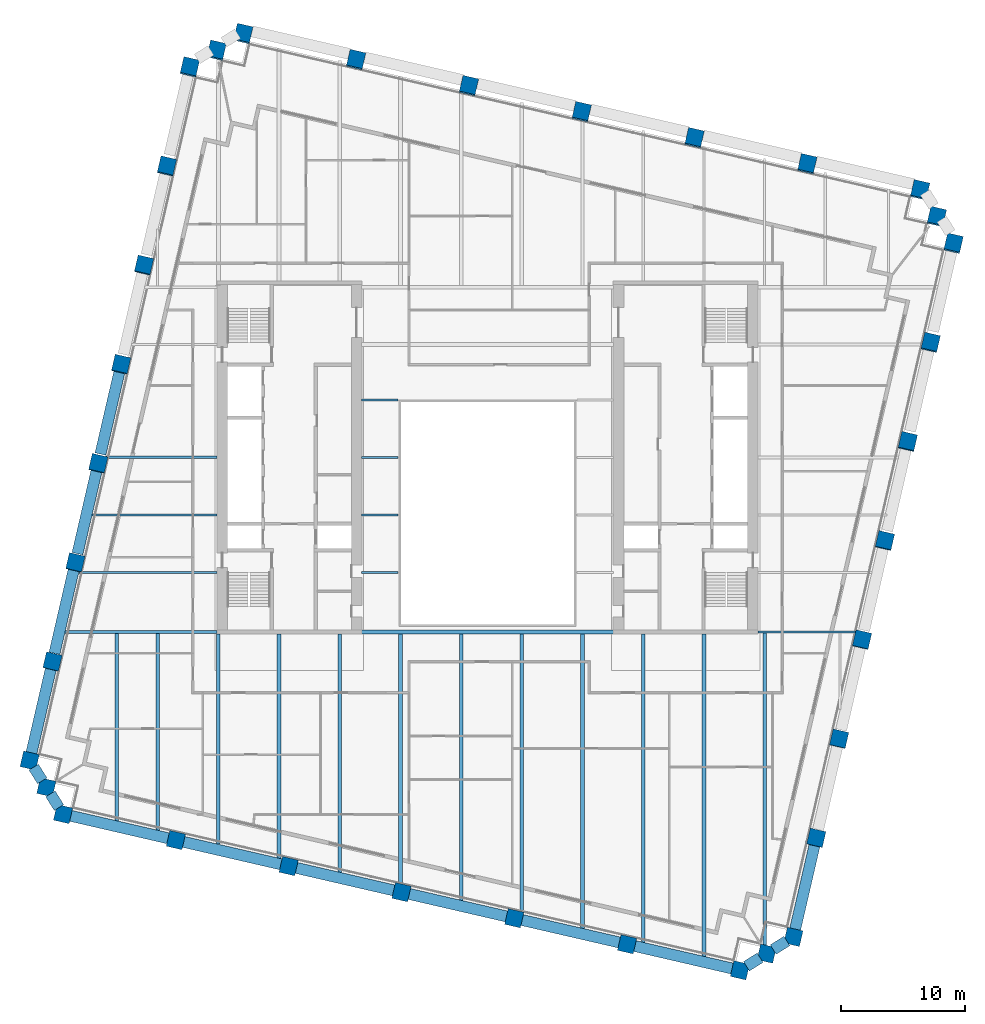
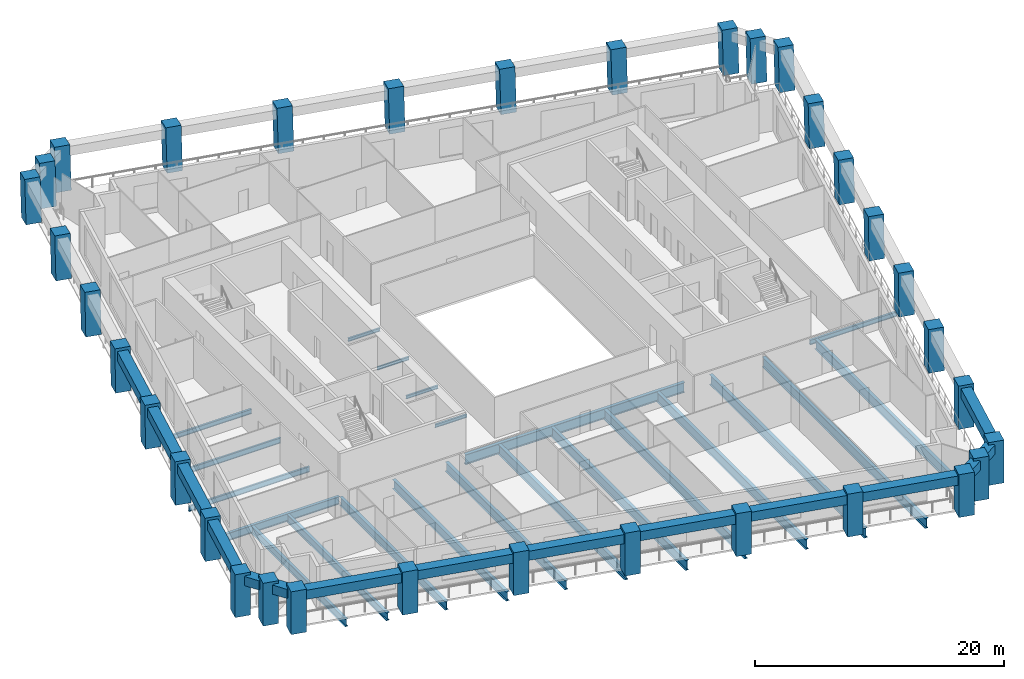
# One storey, part 1 of 12: 37 beams, 34 columns.
"""IFC4 building model written with IfcOpenShell, lengths in metres."""

from ifc_helpers import new_model, si_unit, direction, frame, origin, origin_2d, place, context, subcontext, project, spatial, rectangle, i_section, extrude, material, material_profile, profile_set, type_object, element, save


model = new_model("IFC4")

# Units and contexts
model_context = context("Model", 3, precision=1e-05, world=origin(), true_north=direction((0.0, 1.0)))
body_context = subcontext(model_context, "Body", "Model", "MODEL_VIEW")
ifc_project = project(units=[si_unit("LENGTHUNIT", "METRE"), si_unit("AREAUNIT", "SQUARE_METRE"), si_unit("VOLUMEUNIT", "CUBIC_METRE"), si_unit("PLANEANGLEUNIT", "RADIAN"), si_unit("MASSUNIT", "GRAM", prefix="KILO")], contexts=[model_context])

# Site, building, storey
site_placement = place(None, origin())
site = spatial("IfcSite", under=ifc_project, at=site_placement, CompositionType="ELEMENT")
building_placement = place(site_placement, origin())
building = spatial("IfcBuilding", under=site, at=building_placement, Name="Ogive Exchange Tower", CompositionType="ELEMENT")
storey_placement = place(building_placement, frame((0.0, 0.0, 130.800048828125)))
storey = spatial("IfcBuildingStorey", under=building, at=storey_placement, Name="L28", CompositionType="ELEMENT", Elevation=130.800048828125)

# Columns
ifc_material_1 = material(Name="Precast concrete C70/85 (limestone faced)", Category="masonry")
ifc_material_profile_1 = material_profile(ifc_material_1, rectangle(XDim=1.300048828125, YDim=1.300048828125, at=origin_2d()), Name="1300 x 1300")
ifc_profile_set_1 = profile_set([ifc_material_profile_1], Name="Precast concrete C70/85 (limestone faced)")
column_type = type_object("IfcColumnType", Name="Precast exoskeleton leg 1300 x 1300 C70/85", PredefinedType="COLUMN", material=ifc_profile_set_1)
for number, where, z_axis, x_axis, name in (
    (1, (-34.281982421875, -17.298095703125, 0.0), (0.0, 0.0, 1.0), (0.974370064785, -0.224951054344, 0.0), "Exoskeleton leg 1"),
    (2, (-25.171630859375, -19.401611328125, 0.0), (0.0, 0.0, 1.0), (0.974370064785, -0.224951054344, 0.0), "Exoskeleton leg 2"),
    (3, (-16.061279296875, -21.504638671875, 0.0), (0.0, 0.0, 1.0), (0.974370064785, -0.224951054344, 0.0), "Exoskeleton leg 3"),
    (4, (-6.950927734375, -23.60791015625, 0.0), (0.0, 0.0, 1.0), (0.974370064785, -0.224951054344, 0.0), "Exoskeleton leg 4"),
    (5, (2.159423828125, -25.711181640625, 0.0), (0.0, 0.0, 1.0), (0.974370064785, -0.224951054344, 0.0), "Exoskeleton leg 5"),
    (6, (11.269775390625, -27.814697265625, 0.0), (0.0, 0.0, 1.0), (0.974370064785, -0.224951054344, 0.0), "Exoskeleton leg 6"),
    (7, (20.380126953125, -29.91796875, 0.0), (0.0, 0.0, 1.0), (0.974370064785, -0.224951054344, 0.0), "Exoskeleton leg 7"),
    (8, (24.697509765625, -27.219970703125, 0.0), (0.0, 0.0, 1.0), (0.974370064785, -0.224951054344, 0.0), "Exoskeleton leg 8"),
):
    element("IfcColumn", number, at=place(storey_placement, frame(where, z_axis=z_axis, x_axis=x_axis)), inside=storey, type_object=column_type, Name=name, PredefinedType="COLUMN", context=body_context, shape_type="SweptSolid", body=[
        extrude(rectangle(XDim=1.300048828125, YDim=1.300048828125, at=origin_2d()), origin(), (0.0, 0.0, 1.0), 4.199951171875),
    ])
column_1_placement = place(storey_placement, frame((26.54345703125, -19.22509765625, 0.0), z_axis=(0.002906226325, 0.012613022249, 0.99991622925), x_axis=(-0.974466825284, 0.224531526563, 0.0)))
element("IfcColumn", 9, at=column_1_placement, inside=storey, type_object=column_type, Name="Exoskeleton leg 9", PredefinedType="COLUMN", context=body_context, shape_type="SweptSolid", body=[
    extrude(rectangle(XDim=1.300048828125, YDim=1.300048828125, at=origin_2d()), origin(), (0.0, 0.0, 1.0), 4.2001953125),
])
column_2_placement = place(storey_placement, frame((28.38916015625, -11.230224609375, 0.0), z_axis=(0.005869083212, 0.025335844359, 0.999661767226), x_axis=(-0.974202561131, 0.225675363932, 0.0)))
element("IfcColumn", 10, at=column_2_placement, inside=storey, type_object=column_type, Name="Exoskeleton leg 10", PredefinedType="COLUMN", context=body_context, shape_type="SweptSolid", body=[
    extrude(rectangle(XDim=1.300048828125, YDim=1.300048828125, at=origin_2d()), origin(), (0.0, 0.0, 1.0), 4.201416015625),
])
column_3_placement = place(storey_placement, frame((30.235107421875, -3.2353515625, 0.0), z_axis=(0.00871280379, 0.037929739166, 0.999242424008), x_axis=(-0.974617095667, 0.223878352757, 0.0)))
element("IfcColumn", 11, at=column_3_placement, inside=storey, type_object=column_type, Name="Exoskeleton leg 11", PredefinedType="COLUMN", context=body_context, shape_type="SweptSolid", body=[
    extrude(rectangle(XDim=1.300048828125, YDim=1.300048828125, at=origin_2d()), origin(), (0.0, 0.0, 1.0), 4.203125),
])
column_4_placement = place(storey_placement, frame((32.080810546875, 4.759521484375, 0.0), z_axis=(0.011668267153, 0.050562490995, 0.998652735462), x_axis=(-0.974391195695, 0.224859506699, 0.0)))
element("IfcColumn", 12, at=column_4_placement, inside=storey, type_object=column_type, Name="Exoskeleton leg 12", PredefinedType="COLUMN", context=body_context, shape_type="SweptSolid", body=[
    extrude(rectangle(XDim=1.300048828125, YDim=1.300048828125, at=origin_2d()), origin(), (0.0, 0.0, 1.0), 4.20556640625),
])
column_5_placement = place(storey_placement, frame((33.926513671875, 12.75439453125, 0.0), z_axis=(0.014559788571, 0.063169759976, 0.997896584813), x_axis=(-0.97445148511, 0.224598092528, 0.0)))
element("IfcColumn", 13, at=column_5_placement, inside=storey, type_object=column_type, Name="Exoskeleton leg 13", PredefinedType="COLUMN", context=body_context, shape_type="SweptSolid", body=[
    extrude(rectangle(XDim=1.300048828125, YDim=1.300048828125, at=origin_2d()), origin(), (0.0, 0.0, 1.0), 4.208740234375),
])
column_6_placement = place(storey_placement, frame((35.772216796875, 20.74951171875, 0.0), z_axis=(0.017502025619, 0.075687567741, 0.996977969259), x_axis=(-0.974290512438, 0.225295355862, 0.0)))
element("IfcColumn", 14, at=column_6_placement, inside=storey, type_object=column_type, Name="Exoskeleton leg 14", PredefinedType="COLUMN", context=body_context, shape_type="SweptSolid", body=[
    extrude(rectangle(XDim=1.300048828125, YDim=1.300048828125, at=origin_2d()), origin(), (0.0, 0.0, 1.0), 4.212646484375),
])
for number, where, z_axis, x_axis, name in (
    (15, (37.617919921875, 28.744384765625, 0.0), (0.020377597275, 0.088167842757, 0.995897175934), (-0.97431566651, 0.225186549318, 0.0), "Exoskeleton leg 15"),
    (16, (34.920166015625, 33.061767578125, 0.0), (0.020377493232, 0.0882252832, 0.995892091129), (-0.97434807649, 0.225046274885, 0.0), "Exoskeleton leg 16"),
    (17, (25.809814453125, 35.1650390625, 0.0), (0.020319626563, 0.088225387128, 0.995893264282), (-0.974488096918, 0.224439187676, 0.0), "Exoskeleton leg 17"),
    (18, (16.699462890625, 37.268310546875, 0.0), (0.020377493232, 0.0882252832, 0.995892091129), (-0.97434807649, 0.225046274885, 0.0), "Exoskeleton leg 18"),
    (19, (7.589111328125, 39.37158203125, 0.0), (0.020319626563, 0.088225387128, 0.995893264282), (-0.974488096918, 0.224439187676, 0.0), "Exoskeleton leg 19"),
    (20, (-1.521240234375, 41.47509765625, 0.0), (0.020377597275, 0.088167842757, 0.995897175934), (-0.97431566651, 0.225186549318, 0.0), "Exoskeleton leg 20"),
    (21, (-10.631591796875, 43.578369140625, 0.0), (0.020319730311, 0.088167946619, 0.995898349105), (-0.97445585692, 0.224579123952, 0.0), "Exoskeleton leg 21"),
    (22, (-19.741943359375, 45.681640625, 0.0), (0.020319626563, 0.088225387128, 0.995893264282), (-0.974488096918, 0.224439187676, 0.0), "Exoskeleton leg 22"),
    (23, (-24.0595703125, 42.983642578125, 0.0), (0.020377493232, 0.0882252832, 0.995892091129), (-0.97434807649, 0.225046274885, 0.0), "Exoskeleton leg 23"),
):
    element("IfcColumn", number, at=place(storey_placement, frame(where, z_axis=z_axis, x_axis=x_axis)), inside=storey, type_object=column_type, Name=name, PredefinedType="COLUMN", context=body_context, shape_type="SweptSolid", body=[
        extrude(rectangle(XDim=1.300048828125, YDim=1.300048828125, at=origin_2d()), origin(), (0.0, 0.0, 1.0), 4.21728515625),
    ])
column_7_placement = place(storey_placement, frame((-25.905517578125, 34.98876953125, 0.0), z_axis=(0.017502025619, 0.075687567741, 0.996977969259), x_axis=(-0.974290512438, 0.225295355862, 0.0)))
element("IfcColumn", 24, at=column_7_placement, inside=storey, type_object=column_type, Name="Exoskeleton leg 24", PredefinedType="COLUMN", context=body_context, shape_type="SweptSolid", body=[
    extrude(rectangle(XDim=1.300048828125, YDim=1.300048828125, at=origin_2d()), origin(), (0.0, 0.0, 1.0), 4.212646484375),
])
column_8_placement = place(storey_placement, frame((-27.751220703125, 26.993896484375, 0.0), z_axis=(0.014617836866, 0.063111930596, 0.997899395261), x_axis=(-0.974209784844, 0.225644178107, 0.0)))
element("IfcColumn", 25, at=column_8_placement, inside=storey, type_object=column_type, Name="Exoskeleton leg 25", PredefinedType="COLUMN", context=body_context, shape_type="SweptSolid", body=[
    extrude(rectangle(XDim=1.300048828125, YDim=1.300048828125, at=origin_2d()), origin(), (0.0, 0.0, 1.0), 4.208740234375),
])
column_9_placement = place(storey_placement, frame((-29.596923828125, 18.9990234375, 0.0), z_axis=(0.011668267153, 0.050562490995, 0.998652735462), x_axis=(-0.974391195695, 0.224859506699, 0.0)))
element("IfcColumn", 26, at=column_9_placement, inside=storey, type_object=column_type, Name="Exoskeleton leg 26", PredefinedType="COLUMN", context=body_context, shape_type="SweptSolid", body=[
    extrude(rectangle(XDim=1.300048828125, YDim=1.300048828125, at=origin_2d()), origin(), (0.0, 0.0, 1.0), 4.20556640625),
])
column_10_placement = place(storey_placement, frame((-31.442626953125, 11.004150390625, 0.0), z_axis=(0.00871280379, 0.037929739166, 0.999242424008), x_axis=(-0.974617095667, 0.223878352757, 0.0)))
element("IfcColumn", 27, at=column_10_placement, inside=storey, type_object=column_type, Name="Exoskeleton leg 27", PredefinedType="COLUMN", context=body_context, shape_type="SweptSolid", body=[
    extrude(rectangle(XDim=1.300048828125, YDim=1.300048828125, at=origin_2d()), origin(), (0.0, 0.0, 1.0), 4.203125),
])
column_11_placement = place(storey_placement, frame((-33.288330078125, 3.00927734375, 0.0), z_axis=(0.005810983994, 0.025277780376, 0.999663576552), x_axis=(-0.974579651079, 0.224041299099, 0.0)))
element("IfcColumn", 28, at=column_11_placement, inside=storey, type_object=column_type, Name="Exoskeleton leg 28", PredefinedType="COLUMN", context=body_context, shape_type="SweptSolid", body=[
    extrude(rectangle(XDim=1.300048828125, YDim=1.300048828125, at=origin_2d()), origin(), (0.0, 0.0, 1.0), 4.201416015625),
])
column_12_placement = place(storey_placement, frame((-35.13427734375, -4.985595703125, 0.0), z_axis=(0.002964350345, 0.012613020097, 0.999916058652), x_axis=(-0.97347596985, 0.228789283237, 0.0)))
element("IfcColumn", 29, at=column_12_placement, inside=storey, type_object=column_type, Name="Exoskeleton leg 29", PredefinedType="COLUMN", context=body_context, shape_type="SweptSolid", body=[
    extrude(rectangle(XDim=1.300048828125, YDim=1.300048828125, at=origin_2d()), origin(), (0.0, 0.0, 1.0), 4.2001953125),
])
for number, where, z_axis, x_axis, name in (
    (30, (-36.97998046875, -12.980712890625, 0.0), (0.0, 0.0, 1.0), (0.974370064785, -0.224951054344, 0.0), "Exoskeleton leg 30"),
    (31, (22.538818359375, -28.569091796875, 0.0), (0.0, 0.0, 1.0), (0.974370064785, -0.224951054344, 0.0), "Exoskeleton leg 31"),
):
    element("IfcColumn", number, at=place(storey_placement, frame(where, z_axis=z_axis, x_axis=x_axis)), inside=storey, type_object=column_type, Name=name, PredefinedType="COLUMN", context=body_context, shape_type="SweptSolid", body=[
        extrude(rectangle(XDim=1.300048828125, YDim=1.300048828125, at=origin_2d()), origin(), (0.0, 0.0, 1.0), 4.199951171875),
    ])
for number, where, z_axis, x_axis, name in (
    (32, (36.26904296875, 30.903076171875, 0.0), (0.020377493232, 0.0882252832, 0.995892091129), (-0.97434807649, 0.225046274885, 0.0), "Exoskeleton leg 32"),
    (33, (-21.90087890625, 44.33251953125, 0.0), (0.020377493232, 0.0882252832, 0.995892091129), (-0.97434807649, 0.225046274885, 0.0), "Exoskeleton leg 33"),
):
    element("IfcColumn", number, at=place(storey_placement, frame(where, z_axis=z_axis, x_axis=x_axis)), inside=storey, type_object=column_type, Name=name, PredefinedType="COLUMN", context=body_context, shape_type="SweptSolid", body=[
        extrude(rectangle(XDim=1.300048828125, YDim=1.300048828125, at=origin_2d()), origin(), (0.0, 0.0, 1.0), 4.21728515625),
    ])
column_13_placement = place(storey_placement, frame((-35.631103515625, -15.139404296875, 0.0), z_axis=(0.0, 0.0, 1.0), x_axis=(0.974370064785, -0.224951054344, 0.0)))
element("IfcColumn", 34, at=column_13_placement, inside=storey, type_object=column_type, Name="Exoskeleton leg 34", PredefinedType="COLUMN", context=body_context, shape_type="SweptSolid", body=[
    extrude(rectangle(XDim=1.300048828125, YDim=1.300048828125, at=origin_2d()), origin(), (0.0, 0.0, 1.0), 4.199951171875),
])

# Beams
ifc_material_2 = material(Name="Steel ASTM A992 Gr50", Category="steel")
ifc_material_profile_2 = material_profile(ifc_material_2, i_section(OverallWidth=0.300048828125, OverallDepth=0.97998046875, WebThickness=0.0166015625, FlangeThickness=0.026123046875, at=origin_2d()), Name="W1000x249")
ifc_profile_set_2 = profile_set([ifc_material_profile_2], Name="Steel ASTM A992 Gr50")
beam_type_1 = type_object("IfcBeamType", Name="Floor beam W1000x249", PredefinedType="JOIST", material=ifc_profile_set_2)
beam_1_placement = place(storey_placement, frame((-7.03271484375, -23.127197265625, -0.68994140625), z_axis=(0.0, 1.0, 0.0), x_axis=(-1.0, 0.0, 0.0)))
element("IfcBeam", 35, at=beam_1_placement, inside=storey, type_object=beam_type_1, Name="Floor beam", PredefinedType="JOIST", context=body_context, shape_type="SweptSolid", body=[
    extrude(i_section(OverallWidth=0.300048828125, OverallDepth=0.97998046875, WebThickness=0.0166015625, FlangeThickness=0.026123046875, at=origin_2d()), origin(), (0.0, 0.0, 1.0), 20.382080078125),
])
beam_2_placement = place(storey_placement, frame((-2.131591796875, -24.40869140625, -0.68994140625), z_axis=(0.0, 1.0, 0.0), x_axis=(-1.0, 0.0, 0.0)))
element("IfcBeam", 36, at=beam_2_placement, inside=storey, type_object=beam_type_1, Name="Floor beam", PredefinedType="JOIST", context=body_context, shape_type="SweptSolid", body=[
    extrude(i_section(OverallWidth=0.300048828125, OverallDepth=0.97998046875, WebThickness=0.0166015625, FlangeThickness=0.026123046875, at=origin_2d()), origin(), (0.0, 0.0, 1.0), 21.66357421875),
])
beam_3_placement = place(storey_placement, frame((2.76953125, -25.390380859375, -0.68994140625), z_axis=(0.0, 1.0, 0.0), x_axis=(-1.0, 0.0, 0.0)))
element("IfcBeam", 37, at=beam_3_placement, inside=storey, type_object=beam_type_1, Name="Floor beam", PredefinedType="JOIST", context=body_context, shape_type="SweptSolid", body=[
    extrude(i_section(OverallWidth=0.300048828125, OverallDepth=0.97998046875, WebThickness=0.0166015625, FlangeThickness=0.026123046875, at=origin_2d()), origin(), (0.0, 0.0, 1.0), 22.645263671875),
])
beam_4_placement = place(storey_placement, frame((7.6708984375, -26.671875, -0.68994140625), z_axis=(0.0, 1.0, 0.0), x_axis=(-1.0, 0.0, 0.0)))
element("IfcBeam", 38, at=beam_4_placement, inside=storey, type_object=beam_type_1, Name="Floor beam", PredefinedType="JOIST", context=body_context, shape_type="SweptSolid", body=[
    extrude(i_section(OverallWidth=0.300048828125, OverallDepth=0.97998046875, WebThickness=0.0166015625, FlangeThickness=0.026123046875, at=origin_2d()), origin(), (0.0, 0.0, 1.0), 23.9267578125),
])
beam_5_placement = place(storey_placement, frame((12.572021484375, -27.653564453125, -0.68994140625), z_axis=(0.0, 1.0, 0.0), x_axis=(-1.0, 0.0, 0.0)))
element("IfcBeam", 39, at=beam_5_placement, inside=storey, type_object=beam_type_1, Name="Floor beam", PredefinedType="JOIST", context=body_context, shape_type="SweptSolid", body=[
    extrude(i_section(OverallWidth=0.300048828125, OverallDepth=0.97998046875, WebThickness=0.0166015625, FlangeThickness=0.026123046875, at=origin_2d()), origin(), (0.0, 0.0, 1.0), 24.903564453125),
])
beam_6_placement = place(storey_placement, frame((17.473388671875, -28.93505859375, -0.68994140625), z_axis=(0.0, 1.0, 0.0), x_axis=(-1.0, 0.0, 0.0)))
element("IfcBeam", 40, at=beam_6_placement, inside=storey, type_object=beam_type_1, Name="Floor beam", PredefinedType="JOIST", context=body_context, shape_type="SweptSolid", body=[
    extrude(i_section(OverallWidth=0.300048828125, OverallDepth=0.97998046875, WebThickness=0.0166015625, FlangeThickness=0.026123046875, at=origin_2d()), origin(), (0.0, 0.0, 1.0), 26.18505859375),
])
beam_7_placement = place(storey_placement, frame((22.37451171875, -28.013916015625, -0.68994140625), z_axis=(0.0, 1.0, 0.0), x_axis=(-1.0, 0.0, 0.0)))
element("IfcBeam", 41, at=beam_7_placement, inside=storey, type_object=beam_type_1, Name="Floor beam", PredefinedType="JOIST", context=body_context, shape_type="SweptSolid", body=[
    extrude(i_section(OverallWidth=0.300048828125, OverallDepth=0.97998046875, WebThickness=0.0166015625, FlangeThickness=0.026123046875, at=origin_2d()), origin(), (0.0, 0.0, 1.0), 25.323486328125),
])
ifc_material_profile_3 = material_profile(ifc_material_2, i_section(OverallWidth=0.1650390625, OverallDepth=0.31005859375, WebThickness=0.005859375, FlangeThickness=0.009765625, at=origin_2d()), Name="W310x38.7")
ifc_profile_set_3 = profile_set([ifc_material_profile_3], Name="Steel ASTM A992 Gr50")
beam_type_2 = type_object("IfcBeamType", Name="Floor beam W310x38.7", PredefinedType="JOIST", material=ifc_profile_set_3)
for number, where, z_axis, x_axis, name in (
    (42, (-10.169921875, 2.208740234375, -0.35498046875), (1.0, 0.0, 0.0), (0.0, 1.0, 0.0), "Floor beam"),
    (43, (-10.169921875, 6.857421875, -0.35498046875), (1.0, 0.0, 0.0), (0.0, 1.0, 0.0), "Floor beam"),
    (44, (-10.169921875, 11.50634765625, -0.35498046875), (1.0, 0.0, 0.0), (0.0, 1.0, 0.0), "Floor beam"),
):
    element("IfcBeam", number, at=place(storey_placement, frame(where, z_axis=z_axis, x_axis=x_axis)), inside=storey, type_object=beam_type_2, Name=name, PredefinedType="JOIST", context=body_context, shape_type="SweptSolid", body=[
        extrude(i_section(OverallWidth=0.1650390625, OverallDepth=0.31005859375, WebThickness=0.005859375, FlangeThickness=0.009765625, at=origin_2d()), origin(), (0.0, 0.0, 1.0), 2.949951171875),
    ])
ifc_material_profile_4 = material_profile(ifc_material_2, i_section(OverallWidth=0.19091796875, OverallDepth=0.45703125, WebThickness=0.009033203125, FlangeThickness=0.014404296875, at=origin_2d()), Name="W460x74")
ifc_profile_set_4 = profile_set([ifc_material_profile_4], Name="Steel ASTM A992 Gr50")
beam_type_3 = type_object("IfcBeamType", Name="Floor beam W460x74", PredefinedType="JOIST", material=ifc_profile_set_4)
beam_8_placement = place(storey_placement, frame((-30.864990234375, 11.50634765625, -0.428466796875), z_axis=(1.0, 0.0, 0.0), x_axis=(0.0, 1.0, 0.0)))
element("IfcBeam", 45, at=beam_8_placement, inside=storey, type_object=beam_type_3, Name="Floor beam", PredefinedType="JOIST", context=body_context, shape_type="SweptSolid", body=[
    extrude(i_section(OverallWidth=0.19091796875, OverallDepth=0.45703125, WebThickness=0.009033203125, FlangeThickness=0.014404296875, at=origin_2d()), origin(), (0.0, 0.0, 1.0), 9.034912109375),
])
ifc_material_profile_5 = material_profile(ifc_material_2, i_section(OverallWidth=0.1669921875, OverallDepth=0.535888671875, WebThickness=0.01025390625, FlangeThickness=0.0166015625, at=origin_2d()), Name="W530x85")
ifc_profile_set_5 = profile_set([ifc_material_profile_5], Name="Steel ASTM A992 Gr50")
beam_type_4 = type_object("IfcBeamType", Name="Floor beam W530x85", PredefinedType="JOIST", material=ifc_profile_set_5)
beam_9_placement = place(storey_placement, frame((-33.011474609375, 2.208740234375, -0.468017578125), z_axis=(1.0, 0.0, 0.0), x_axis=(0.0, 1.0, 0.0)))
element("IfcBeam", 46, at=beam_9_placement, inside=storey, type_object=beam_type_4, Name="Floor beam", PredefinedType="JOIST", context=body_context, shape_type="SweptSolid", body=[
    extrude(i_section(OverallWidth=0.1669921875, OverallDepth=0.535888671875, WebThickness=0.01025390625, FlangeThickness=0.0166015625, at=origin_2d()), origin(), (0.0, 0.0, 1.0), 11.181396484375),
])
beam_10_placement = place(storey_placement, frame((-31.938232421875, 6.857421875, -0.468017578125), z_axis=(1.0, 0.0, 0.0), x_axis=(0.0, 1.0, 0.0)))
element("IfcBeam", 47, at=beam_10_placement, inside=storey, type_object=beam_type_4, Name="Floor beam", PredefinedType="JOIST", context=body_context, shape_type="SweptSolid", body=[
    extrude(i_section(OverallWidth=0.1669921875, OverallDepth=0.535888671875, WebThickness=0.01025390625, FlangeThickness=0.0166015625, at=origin_2d()), origin(), (0.0, 0.0, 1.0), 10.108154296875),
])
ifc_material_profile_6 = material_profile(ifc_material_2, i_section(OverallWidth=0.26708984375, OverallDepth=0.75390625, WebThickness=0.01318359375, FlangeThickness=0.01708984375, at=origin_2d()), Name="W760x147")
ifc_profile_set_6 = profile_set([ifc_material_profile_6], Name="Steel ASTM A992 Gr50")
beam_type_5 = type_object("IfcBeamType", Name="Floor beam W760x147", PredefinedType="JOIST", material=ifc_profile_set_6)
beam_11_placement = place(storey_placement, frame((-29.93896484375, -17.839111328125, -0.5771484375), z_axis=(0.0, 1.0, 0.0), x_axis=(-1.0, 0.0, 0.0)))
element("IfcBeam", 48, at=beam_11_placement, inside=storey, type_object=beam_type_5, Name="Floor beam", PredefinedType="JOIST", context=body_context, shape_type="SweptSolid", body=[
    extrude(i_section(OverallWidth=0.26708984375, OverallDepth=0.75390625, WebThickness=0.01318359375, FlangeThickness=0.01708984375, at=origin_2d()), origin(), (0.0, 0.0, 1.0), 15.110595703125),
])
ifc_material_profile_7 = material_profile(ifc_material_2, i_section(OverallWidth=0.26708984375, OverallDepth=0.761962890625, WebThickness=0.014404296875, FlangeThickness=0.021484375, at=origin_2d()), Name="W760x173")
ifc_profile_set_7 = profile_set([ifc_material_profile_7], Name="Steel ASTM A992 Gr50")
beam_type_6 = type_object("IfcBeamType", Name="Floor beam W760x173", PredefinedType="JOIST", material=ifc_profile_set_7)
beam_12_placement = place(storey_placement, frame((-26.6376953125, -18.751220703125, -0.5810546875), z_axis=(0.0, 1.0, 0.0), x_axis=(-1.0, 0.0, 0.0)))
element("IfcBeam", 49, at=beam_12_placement, inside=storey, type_object=beam_type_6, Name="Floor beam", PredefinedType="JOIST", context=body_context, shape_type="SweptSolid", body=[
    extrude(i_section(OverallWidth=0.26708984375, OverallDepth=0.761962890625, WebThickness=0.014404296875, FlangeThickness=0.021484375, at=origin_2d()), origin(), (0.0, 0.0, 1.0), 16.022705078125),
])
ifc_material_profile_8 = material_profile(ifc_material_2, i_section(OverallWidth=0.2919921875, OverallDepth=0.8359375, WebThickness=0.013916015625, FlangeThickness=0.018798828125, at=origin_2d()), Name="W840x176")
ifc_profile_set_8 = profile_set([ifc_material_profile_8], Name="Steel ASTM A992 Gr50")
beam_type_7 = type_object("IfcBeamType", Name="Floor beam W840x176", PredefinedType="JOIST", material=ifc_profile_set_8)
beam_13_placement = place(storey_placement, frame((-21.736572265625, -19.732666015625, -0.6181640625), z_axis=(0.0, 1.0, 0.0), x_axis=(-1.0, 0.0, 0.0)))
element("IfcBeam", 50, at=beam_13_placement, inside=storey, type_object=beam_type_7, Name="Floor beam", PredefinedType="JOIST", context=body_context, shape_type="SweptSolid", body=[
    extrude(i_section(OverallWidth=0.2919921875, OverallDepth=0.8359375, WebThickness=0.013916015625, FlangeThickness=0.018798828125, at=origin_2d()), origin(), (0.0, 0.0, 1.0), 16.982666015625),
])
ifc_material_profile_9 = material_profile(ifc_material_2, i_section(OverallWidth=0.304931640625, OverallDepth=0.904052734375, WebThickness=0.01513671875, FlangeThickness=0.02001953125, at=origin_2d()), Name="W920x201")
ifc_profile_set_9 = profile_set([ifc_material_profile_9], Name="Steel ASTM A992 Gr50")
beam_type_8 = type_object("IfcBeamType", Name="Floor beam W920x201", PredefinedType="JOIST", material=ifc_profile_set_9)
beam_14_placement = place(storey_placement, frame((-16.835205078125, -21.01416015625, -0.652099609375), z_axis=(0.0, 1.0, 0.0), x_axis=(-1.0, 0.0, 0.0)))
element("IfcBeam", 51, at=beam_14_placement, inside=storey, type_object=beam_type_8, Name="Floor beam", PredefinedType="JOIST", context=body_context, shape_type="SweptSolid", body=[
    extrude(i_section(OverallWidth=0.304931640625, OverallDepth=0.904052734375, WebThickness=0.01513671875, FlangeThickness=0.02001953125, at=origin_2d()), origin(), (0.0, 0.0, 1.0), 18.26416015625),
])
ifc_material_profile_10 = material_profile(ifc_material_2, i_section(OverallWidth=0.304931640625, OverallDepth=0.9189453125, WebThickness=0.017333984375, FlangeThickness=0.02783203125, at=origin_2d()), Name="W920x253")
ifc_profile_set_10 = profile_set([ifc_material_profile_10], Name="Steel ASTM A992 Gr50")
beam_type_9 = type_object("IfcBeamType", Name="Floor beam W920x253", PredefinedType="JOIST", material=ifc_profile_set_10)
beam_15_placement = place(storey_placement, frame((-11.93408203125, -21.995849609375, -0.65966796875), z_axis=(0.0, 1.0, 0.0), x_axis=(-1.0, 0.0, 0.0)))
element("IfcBeam", 52, at=beam_15_placement, inside=storey, type_object=beam_type_9, Name="Floor beam", PredefinedType="JOIST", context=body_context, shape_type="SweptSolid", body=[
    extrude(i_section(OverallWidth=0.304931640625, OverallDepth=0.9189453125, WebThickness=0.017333984375, FlangeThickness=0.02783203125, at=origin_2d()), origin(), (0.0, 0.0, 1.0), 19.245849609375),
])
ifc_material_profile_11 = material_profile(ifc_material_2, i_section(OverallWidth=0.300048828125, OverallDepth=0.97998046875, WebThickness=0.0166015625, FlangeThickness=0.026123046875, at=origin_2d()), Name="W1000x249")
ifc_profile_set_11 = profile_set([ifc_material_profile_11], Name="Steel ASTM A992 Gr50")
beam_type_10 = type_object("IfcBeamType", Name="Girder W1000x249", PredefinedType="BEAM", material=ifc_profile_set_11)
beam_16_placement = place(storey_placement, frame((-10.169921875, -2.594970703125, -0.68994140625), z_axis=(1.0, 0.0, 0.0), x_axis=(0.0, 1.0, 0.0)))
element("IfcBeam", 53, at=beam_16_placement, inside=storey, type_object=beam_type_10, Name="Header girder", PredefinedType="BEAM", context=body_context, shape_type="SweptSolid", body=[
    extrude(i_section(OverallWidth=0.300048828125, OverallDepth=0.97998046875, WebThickness=0.0166015625, FlangeThickness=0.026123046875, at=origin_2d()), origin(), (0.0, 0.0, 1.0), 20.33984375),
])
ifc_material_profile_12 = material_profile(ifc_material_2, i_section(OverallWidth=0.1650390625, OverallDepth=0.31005859375, WebThickness=0.005859375, FlangeThickness=0.009765625, at=origin_2d()), Name="W310x38.7")
ifc_profile_set_12 = profile_set([ifc_material_profile_12], Name="Steel ASTM A992 Gr50")
beam_type_11 = type_object("IfcBeamType", Name="Girder W310x38.7", PredefinedType="BEAM", material=ifc_profile_set_12)
beam_17_placement = place(storey_placement, frame((-10.169921875, 16.155029296875, -0.35498046875), z_axis=(1.0, 0.0, 0.0), x_axis=(0.0, 1.0, 0.0)))
element("IfcBeam", 54, at=beam_17_placement, inside=storey, type_object=beam_type_11, Name="Trimmer girder", PredefinedType="BEAM", context=body_context, shape_type="SweptSolid", body=[
    extrude(i_section(OverallWidth=0.1650390625, OverallDepth=0.31005859375, WebThickness=0.005859375, FlangeThickness=0.009765625, at=origin_2d()), origin(), (0.0, 0.0, 1.0), 2.949951171875),
])
ifc_material_profile_13 = material_profile(ifc_material_2, i_section(OverallWidth=0.19091796875, OverallDepth=0.45703125, WebThickness=0.009033203125, FlangeThickness=0.014404296875, at=origin_2d()), Name="W460x74")
ifc_profile_set_13 = profile_set([ifc_material_profile_13], Name="Steel ASTM A992 Gr50")
beam_type_12 = type_object("IfcBeamType", Name="Girder W460x74", PredefinedType="BEAM", material=ifc_profile_set_13)
beam_18_placement = place(storey_placement, frame((21.830078125, -2.594970703125, -0.428466796875), z_axis=(1.0, 0.0, 0.0), x_axis=(0.0, 1.0, 0.0)))
element("IfcBeam", 55, at=beam_18_placement, inside=storey, type_object=beam_type_12, Name="Header girder", PredefinedType="BEAM", context=body_context, shape_type="SweptSolid", body=[
    extrude(i_section(OverallWidth=0.19091796875, OverallDepth=0.45703125, WebThickness=0.009033203125, FlangeThickness=0.014404296875, at=origin_2d()), origin(), (0.0, 0.0, 1.0), 8.0908203125),
])
ifc_material_profile_14 = material_profile(ifc_material_2, i_section(OverallWidth=0.26708984375, OverallDepth=0.75390625, WebThickness=0.01318359375, FlangeThickness=0.01708984375, at=origin_2d()), Name="W760x147")
ifc_profile_set_14 = profile_set([ifc_material_profile_14], Name="Steel ASTM A992 Gr50")
beam_type_13 = type_object("IfcBeamType", Name="Girder W760x147", PredefinedType="BEAM", material=ifc_profile_set_14)
beam_19_placement = place(storey_placement, frame((-34.2705078125, -2.594970703125, -0.5771484375), z_axis=(1.0, 0.0, 0.0), x_axis=(0.0, 1.0, 0.0)))
element("IfcBeam", 56, at=beam_19_placement, inside=storey, type_object=beam_type_13, Name="Header girder", PredefinedType="BEAM", context=body_context, shape_type="SweptSolid", body=[
    extrude(i_section(OverallWidth=0.26708984375, OverallDepth=0.75390625, WebThickness=0.01318359375, FlangeThickness=0.01708984375, at=origin_2d()), origin(), (0.0, 0.0, 1.0), 12.4404296875),
])
ifc_material_profile_15 = material_profile(ifc_material_1, rectangle(XDim=0.89990234375, YDim=0.89990234375, at=origin_2d()), Name="900 x 900")
ifc_profile_set_15 = profile_set([ifc_material_profile_15], Name="Precast concrete C70/85 (limestone faced)")
beam_type_14 = type_object("IfcBeamType", Name="Precast spandrel 900 x 900 C70/85", PredefinedType="SPANDREL", material=ifc_profile_set_15)
for number, where, z_axis, x_axis, name in (
    (57, (-33.668212890625, -17.43994140625, 3.5), (0.974370337884, -0.224949871421, 0.0), (0.224949871421, 0.974370337884, 0.0), "Spandrel 1"),
    (58, (-24.557861328125, -19.543212890625, 3.5), (0.974370337884, -0.224949871421, 0.0), (0.224949871421, 0.974370337884, 0.0), "Spandrel 2"),
):
    element("IfcBeam", number, at=place(storey_placement, frame(where, z_axis=z_axis, x_axis=x_axis)), inside=storey, type_object=beam_type_14, Name=name, PredefinedType="SPANDREL", context=body_context, shape_type="SweptSolid", body=[
        extrude(rectangle(XDim=0.89990234375, YDim=0.89990234375, at=origin_2d()), origin(), (0.0, 0.0, 1.0), 8.08984375),
    ])
beam_20_placement = place(storey_placement, frame((-15.447509765625, -21.646484375, 3.5), z_axis=(0.974371864918, -0.224943256972, 0.0), x_axis=(0.224943256972, 0.974371864918, 0.0)))
element("IfcBeam", 59, at=beam_20_placement, inside=storey, type_object=beam_type_14, Name="Spandrel 3", PredefinedType="SPANDREL", context=body_context, shape_type="SweptSolid", body=[
    extrude(rectangle(XDim=0.89990234375, YDim=0.89990234375, at=origin_2d()), origin(), (0.0, 0.0, 1.0), 8.090087890625),
])
beam_21_placement = place(storey_placement, frame((-6.337158203125, -23.749755859375, 3.5), z_axis=(0.974370337884, -0.224949871421, 0.0), x_axis=(0.224949871421, 0.974370337884, 0.0)))
element("IfcBeam", 60, at=beam_21_placement, inside=storey, type_object=beam_type_14, Name="Spandrel 4", PredefinedType="SPANDREL", context=body_context, shape_type="SweptSolid", body=[
    extrude(rectangle(XDim=0.89990234375, YDim=0.89990234375, at=origin_2d()), origin(), (0.0, 0.0, 1.0), 8.08984375),
])
beam_22_placement = place(storey_placement, frame((2.773193359375, -25.85302734375, 3.5), z_axis=(0.974371864918, -0.224943256972, 0.0), x_axis=(0.224943256972, 0.974371864918, 0.0)))
element("IfcBeam", 61, at=beam_22_placement, inside=storey, type_object=beam_type_14, Name="Spandrel 5", PredefinedType="SPANDREL", context=body_context, shape_type="SweptSolid", body=[
    extrude(rectangle(XDim=0.89990234375, YDim=0.89990234375, at=origin_2d()), origin(), (0.0, 0.0, 1.0), 8.090087890625),
])
beam_23_placement = place(storey_placement, frame((11.883544921875, -27.956298828125, 3.5), z_axis=(0.974370337884, -0.224949871421, 0.0), x_axis=(0.224949871421, 0.974370337884, 0.0)))
element("IfcBeam", 62, at=beam_23_placement, inside=storey, type_object=beam_type_14, Name="Spandrel 6", PredefinedType="SPANDREL", context=body_context, shape_type="SweptSolid", body=[
    extrude(rectangle(XDim=0.89990234375, YDim=0.89990234375, at=origin_2d()), origin(), (0.0, 0.0, 1.0), 8.08984375),
])
for number, where, z_axis, x_axis, name in (
    (63, (20.9052734375, -29.58984375, 3.5), (0.848040277303, 0.529931776808, 0.0), (-0.529931776808, 0.848040277303, 0.0), "Spandrel 7"),
    (64, (23.06396484375, -28.24072265625, 3.5), (0.848092721491, 0.529847842077, 0.0), (-0.529847842077, 0.848092721491, 0.0), "Spandrel 8"),
):
    element("IfcBeam", number, at=place(storey_placement, frame(where, z_axis=z_axis, x_axis=x_axis)), inside=storey, type_object=beam_type_14, Name=name, PredefinedType="SPANDREL", context=body_context, shape_type="SweptSolid", body=[
        extrude(rectangle(XDim=0.89990234375, YDim=0.89990234375, at=origin_2d()), origin(), (0.0, 0.0, 1.0), 1.30712890625),
    ])
for number, where, z_axis, x_axis, name in (
    (65, (24.83935546875, -26.606201171875, 3.5), (0.224966492282, 0.974366500527, 0.0), (-0.974366500527, 0.224966492282, 0.0), "Spandrel 9"),
    (66, (-29.689453125, 18.59765625, 3.5), (-0.224966492282, -0.974366500527, 0.0), (0.974366500527, -0.224966492282, 0.0), "Spandrel 29"),
):
    element("IfcBeam", number, at=place(storey_placement, frame(where, z_axis=z_axis, x_axis=x_axis)), inside=storey, type_object=beam_type_14, Name=name, PredefinedType="SPANDREL", context=body_context, shape_type="SweptSolid", body=[
        extrude(rectangle(XDim=0.89990234375, YDim=0.89990234375, at=origin_2d()), origin(), (0.0, 0.0, 1.0), 6.999755859375),
    ])
beam_24_placement = place(storey_placement, frame((-31.547607421875, 10.5498046875, 3.5), z_axis=(-0.224958847169, -0.974368265637, 0.0), x_axis=(0.974368265637, -0.224958847169, 0.0)))
element("IfcBeam", 67, at=beam_24_placement, inside=storey, type_object=beam_type_14, Name="Spandrel 30", PredefinedType="SPANDREL", context=body_context, shape_type="SweptSolid", body=[
    extrude(rectangle(XDim=0.89990234375, YDim=0.89990234375, at=origin_2d()), origin(), (0.0, 0.0, 1.0), 7.0),
])
for number, where, z_axis, x_axis, name in (
    (68, (-33.405517578125, 2.501708984375, 3.5), (-0.224966492282, -0.974366500527, 0.0), (0.974366500527, -0.224966492282, 0.0), "Spandrel 31"),
    (69, (-35.263671875, -5.54638671875, 3.5), (-0.224966492282, -0.974366500527, 0.0), (0.974366500527, -0.224966492282, 0.0), "Spandrel 32"),
):
    element("IfcBeam", number, at=place(storey_placement, frame(where, z_axis=z_axis, x_axis=x_axis)), inside=storey, type_object=beam_type_14, Name=name, PredefinedType="SPANDREL", context=body_context, shape_type="SweptSolid", body=[
        extrude(rectangle(XDim=0.89990234375, YDim=0.89990234375, at=origin_2d()), origin(), (0.0, 0.0, 1.0), 6.999755859375),
    ])
for number, where, z_axis, x_axis, name in (
    (70, (-36.65185546875, -13.505615234375, 3.5), (0.529847842077, -0.848092721491, 0.0), (0.848092721491, 0.529847842077, 0.0), "Spandrel 33"),
    (71, (-35.302978515625, -15.66455078125, 3.5), (0.530066093226, -0.847956329543, 0.0), (0.847956329543, 0.530066093226, 0.0), "Spandrel 34"),
):
    element("IfcBeam", number, at=place(storey_placement, frame(where, z_axis=z_axis, x_axis=x_axis)), inside=storey, type_object=beam_type_14, Name=name, PredefinedType="SPANDREL", context=body_context, shape_type="SweptSolid", body=[
        extrude(rectangle(XDim=0.89990234375, YDim=0.89990234375, at=origin_2d()), origin(), (0.0, 0.0, 1.0), 1.30712890625),
    ])

save(model, "model.ifc")
